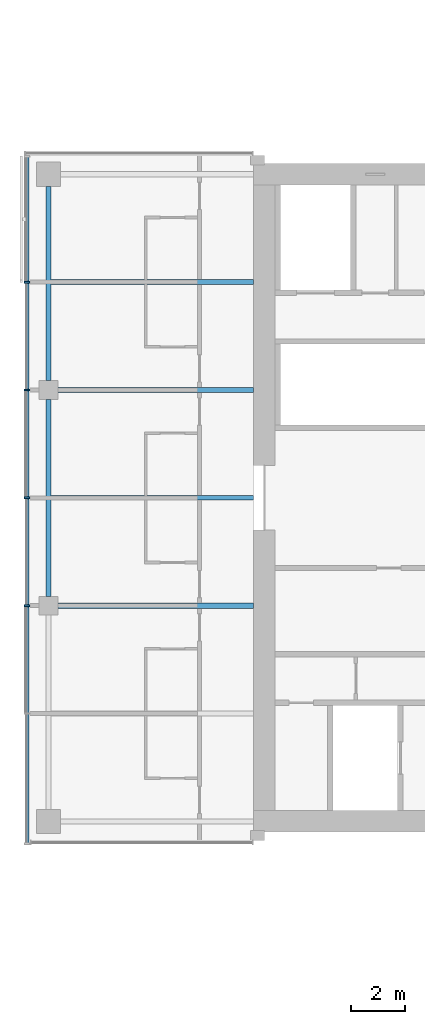
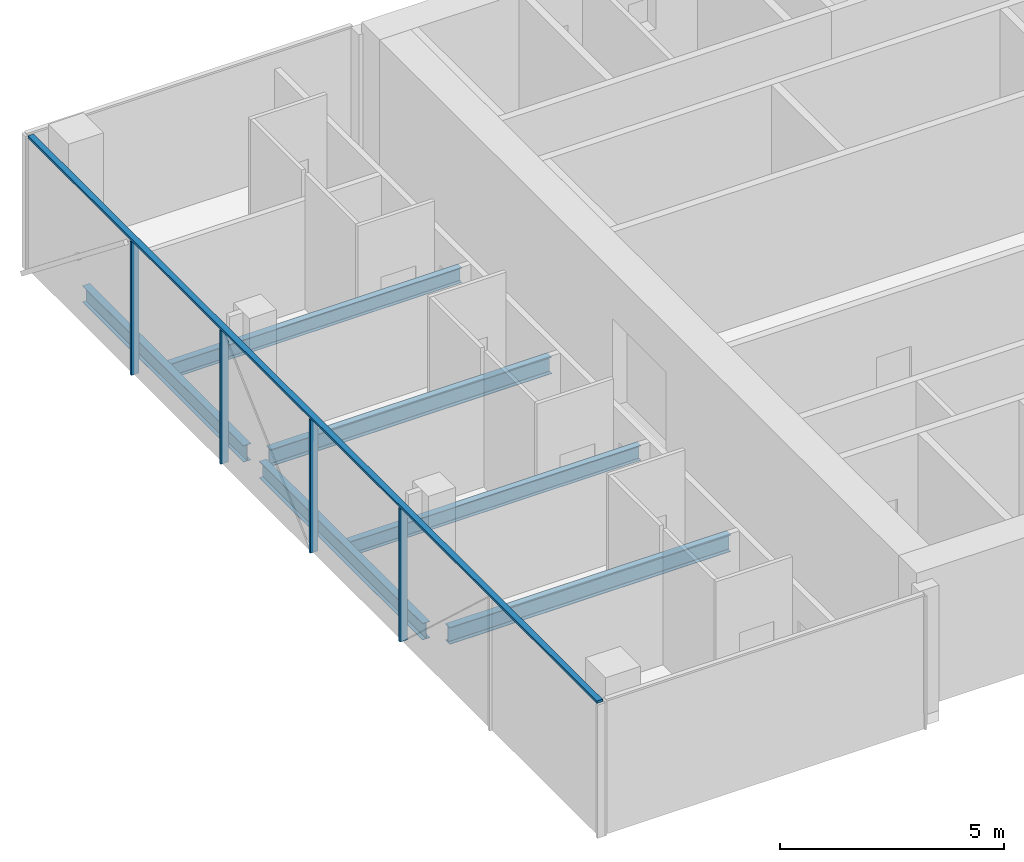
# One storey, part 6 of 29: 6 beams, 5 members, 1 element without a shape of its own.
"""IFC4 building model written with IfcOpenShell, lengths in metres."""

import ifcopenshell
import ifcopenshell.guid

model = None  # the IFC model being written
_history = None  # IfcOwnerHistory: only IFC2X3 demands one
_inside = {}  # id of a spatial element -> (the spatial element, [elements in it])
_under = {}  # id of a project, library or spatial element -> (it, [spatial elements below it])
_declared = {}  # id of a project -> (the project, [libraries it declares])
_typed = {}  # id of a type object -> (the type object, [elements of that type])
_made_of = {}  # id of a material, layer set ... -> (it, [elements and type objects made of it])


def new_model(schema):
    """Start an empty IFC model of exactly this schema.

    Asked for "IFC4X3", IfcOpenShell would pick the latest addendum, in which some entities
    have other attributes; the version numbers below select the first issue.
    IFC2X3 requires an IfcOwnerHistory on every rooted entity: one is made here for all.
    """
    global model, _history
    if schema == "IFC4X3":
        model = ifcopenshell.file(schema_version=(4, 3, 0, 0))
    else:
        model = ifcopenshell.file(schema=schema)
    _inside.clear()
    _under.clear()
    _declared.clear()
    _typed.clear()
    _made_of.clear()
    _history = None
    if model.schema == "IFC2X3":
        org = make("IfcOrganization", Name="unknown")
        user = make(
            "IfcPersonAndOrganization",
            ThePerson=make("IfcPerson", FamilyName="unknown"),
            TheOrganization=org,
        )
        app = make(
            "IfcApplication",
            ApplicationDeveloper=org,
            Version="unknown",
            ApplicationFullName="unknown",
            ApplicationIdentifier="unknown",
        )
        _history = make(
            "IfcOwnerHistory",
            OwningUser=user,
            OwningApplication=app,
            ChangeAction="ADDED",
            CreationDate=0,
        )
    return model


def make(cls, **values):
    """One entity of the class cls with the attributes given. An attribute that is None is left unset."""
    return model.create_entity(
        cls, **{name: value for name, value in values.items() if value is not None}
    )


def rooted(cls, **values):
    """An entity with a GlobalId (a new one), such as an element, a storey or a relation."""
    return make(cls, GlobalId=ifcopenshell.guid.new(), OwnerHistory=_history, **values)


def si_unit(unit_type, name, prefix=None):
    """IfcSIUnit, for example si_unit("LENGTHUNIT", "METRE", prefix="MILLI")."""
    return make("IfcSIUnit", UnitType=unit_type, Prefix=prefix, Name=name)


def assignment(units):
    """IfcUnitAssignment: the units of a project."""
    return None if units is None else make("IfcUnitAssignment", Units=units)


def point(xyz):
    """IfcCartesianPoint."""
    return None if xyz is None else make("IfcCartesianPoint", Coordinates=xyz)


def direction(xyz):
    """IfcDirection."""
    return None if xyz is None else make("IfcDirection", DirectionRatios=xyz)


def frame(location, z_axis=None, x_axis=None):
    """IfcAxis2Placement3D, a coordinate frame: its origin and axes. An axis left out is left unset."""
    return make(
        "IfcAxis2Placement3D",
        Location=point(location),
        Axis=direction(z_axis),
        RefDirection=direction(x_axis),
    )


def frame_2d(location, x_axis=None):
    """IfcAxis2Placement2D, a coordinate frame in the plane: its origin and x axis."""
    return make(
        "IfcAxis2Placement2D", Location=point(location), RefDirection=direction(x_axis)
    )


def origin():
    """The frame at (0, 0, 0) with its axes left unset."""
    return frame((0.0, 0.0, 0.0))


def origin_2d():
    """The frame at (0, 0) in the plane with its x axis left unset."""
    return frame_2d((0.0, 0.0))


def place(relative_to, where):
    """IfcLocalPlacement: puts the frame where relative to a parent placement (None: the world)."""
    return make(
        "IfcLocalPlacement", PlacementRelTo=relative_to, RelativePlacement=where
    )


def context(
    kind, dimensions, precision=None, world=None, true_north=None, identifier=None
):
    """IfcGeometricRepresentationContext, for example the 3D "Model" context."""
    return make(
        "IfcGeometricRepresentationContext",
        ContextIdentifier=identifier,
        ContextType=kind,
        CoordinateSpaceDimension=dimensions,
        Precision=precision,
        WorldCoordinateSystem=world,
        TrueNorth=true_north,
    )


def subcontext(parent, identifier, kind, view, scale=None):
    """IfcGeometricRepresentationSubContext, for example "Body" below "Model"."""
    return make(
        "IfcGeometricRepresentationSubContext",
        ContextIdentifier=identifier,
        ContextType=kind,
        ParentContext=parent,
        TargetScale=scale,
        TargetView=view,
    )


def project(units=None, contexts=None):
    """IfcProject with its units and contexts."""
    return rooted(
        "IfcProject",
        Name="project",
        RepresentationContexts=contexts,
        UnitsInContext=assignment(units),
    )


def spatial(cls, under=None, at=None, **own):
    """A site, building, storey or space (cls), placed at a placement, below another one or the project."""
    s = rooted(cls, ObjectPlacement=at, **own)
    if under is not None:
        _under.setdefault(under.id(), (under, []))[1].append(s)
    return s


def profile(cls, at=None, kind="AREA", **sizes):
    """A parametric profile (cls). Its sizes go by their IFC names, for example OverallWidth=200.0."""
    return make(cls, ProfileType=kind, Position=at, **sizes)


def rectangle(**sizes):
    """IfcRectangleProfileDef."""
    return profile("IfcRectangleProfileDef", **sizes)


def i_section(**sizes):
    """IfcIShapeProfileDef."""
    return profile("IfcIShapeProfileDef", **sizes)


def extrude(swept, where, along, depth):
    """IfcExtrudedAreaSolid: the profile swept, set in the frame where, extruded along a direction by depth."""
    return make(
        "IfcExtrudedAreaSolid",
        SweptArea=swept,
        Position=where,
        ExtrudedDirection=direction(along),
        Depth=depth,
    )


def shape(context_of_items, identifier, shape_type, items):
    """IfcShapeRepresentation: the items that make up one representation, for example the "Body"."""
    return make(
        "IfcShapeRepresentation",
        ContextOfItems=context_of_items,
        RepresentationIdentifier=identifier,
        RepresentationType=shape_type,
        Items=items,
    )


def material(Name=None, Category=None):
    """IfcMaterial."""
    return make("IfcMaterial", Name=Name, Category=Category)


def material_profile(
    of_material, cross_section, Name=None, Category=None, Priority=None
):
    """IfcMaterialProfile: a cross section and its material."""
    return make(
        "IfcMaterialProfile",
        Name=Name,
        Material=of_material,
        Profile=cross_section,
        Priority=Priority,
        Category=Category,
    )


def profile_set(profiles, Name=None, composite=None):
    """IfcMaterialProfileSet."""
    return make(
        "IfcMaterialProfileSet",
        Name=Name,
        MaterialProfiles=profiles,
        CompositeProfile=composite,
    )


def made_of(thing, what):
    """Note that an element or type object is made of a material, layer set ...; save() writes the relation."""
    if what is not None:
        _made_of.setdefault(what.id(), (what, []))[1].append(thing)
    return thing


def type_object(cls, material=None, **own):
    """A type object (cls), such as IfcWallType, which elements share."""
    return made_of(rooted(cls, **own), material)


def element(
    cls,
    number,
    at=None,
    inside=None,
    cuts=None,
    type_object=None,
    material=None,
    context=None,
    identifier="Body",
    shape_type=None,
    held_by="IfcProductDefinitionShape",
    body=None,
    shapes=None,
    **own,
):
    """One element of the class cls, such as IfcWall. Its Tag is "e" and its number.

    at: its placement. inside: the storey or other place that contains it. cuts: it is an
    opening in that element (IfcRelVoidsElement). A single representation is given by context,
    identifier, shape_type and body (its items); several are given by shapes. held_by: the class
    of the entity that holds the representations. save() writes the other relations.
    """
    e = rooted(cls, Tag="e%d" % number, ObjectPlacement=at, **own)
    if body is not None:
        shapes = [shape(context, identifier, shape_type, body)]
    if shapes is not None:
        e.Representation = make(held_by, Representations=shapes)
    if inside is not None:
        _inside.setdefault(inside.id(), (inside, []))[1].append(e)
    if cuts is not None:
        rooted(
            "IfcRelVoidsElement", RelatingBuildingElement=cuts, RelatedOpeningElement=e
        )
    if type_object is not None:
        _typed.setdefault(type_object.id(), (type_object, []))[1].append(e)
    return made_of(e, material)


def aggregate(whole, parts):
    """IfcRelAggregates: a whole, such as a stair, and the parts it consists of."""
    return rooted("IfcRelAggregates", RelatingObject=whole, RelatedObjects=parts)


def save(model, path):
    """Write the relations noted so far, then the file.

    IfcRelAggregates (storeys below a building ...), IfcRelContainedInSpatialStructure (elements
    in a storey), IfcRelDefinesByType, IfcRelAssociatesMaterial and IfcRelDeclares: one each for
    every whole, place, type object, material and project.
    """
    for whole, parts in _under.values():
        aggregate(whole, parts)
    for where, things in _inside.values():
        rooted(
            "IfcRelContainedInSpatialStructure",
            RelatedElements=things,
            RelatingStructure=where,
        )
    for kind, things in _typed.values():
        rooted("IfcRelDefinesByType", RelatedObjects=things, RelatingType=kind)
    for what, things in _made_of.values():
        rooted("IfcRelAssociatesMaterial", RelatedObjects=things, RelatingMaterial=what)
    for by, libraries in _declared.values():
        rooted("IfcRelDeclares", RelatingContext=by, RelatedDefinitions=libraries)
    model.write(path)


model = new_model("IFC4")

# Units and contexts
model_context = context("Model", 3, precision=1e-05, world=origin(), true_north=direction((0.0, 1.0)))
body_context = subcontext(model_context, "Body", "Model", "MODEL_VIEW")
ifc_project = project(units=[si_unit("LENGTHUNIT", "METRE"), si_unit("AREAUNIT", "SQUARE_METRE"), si_unit("VOLUMEUNIT", "CUBIC_METRE"), si_unit("PLANEANGLEUNIT", "RADIAN"), si_unit("MASSUNIT", "GRAM", prefix="KILO")], contexts=[model_context])

# Site, building, storey
site_placement = place(None, origin())
site = spatial("IfcSite", under=ifc_project, at=site_placement, CompositionType="ELEMENT")
building_placement = place(site_placement, origin())
building = spatial("IfcBuilding", under=site, at=building_placement, Name="Crosswind Convention Tower", CompositionType="ELEMENT")
storey_placement = place(building_placement, frame((0.0, 0.0, 57.199951171875)))
storey = spatial("IfcBuildingStorey", under=building, at=storey_placement, Name="L08", CompositionType="ELEMENT", Elevation=57.199951171875)

# Beams
ifc_material_1 = material(Name="Steel S355", Category="steel")
ifc_material_profile_1 = material_profile(ifc_material_1, i_section(OverallWidth=0.1904296875, OverallDepth=0.457275390625, WebThickness=0.009033203125, FlangeThickness=0.014404296875, FilletRadius=0.01025390625, at=origin_2d()), Name="UB 457x191x75")
ifc_profile_set_1 = profile_set([ifc_material_profile_1], Name="Steel S355")
beam_type_1 = type_object("IfcBeamType", Name="Edge beam UB 457x191x75", PredefinedType="SPANDREL", material=ifc_profile_set_1)
beam_1_placement = place(storey_placement, frame((89.0, 96.35009765625, -0.508544921875), z_axis=(0.0, 1.0, 0.0), x_axis=(-1.0, 0.0, 0.0)))
element("IfcBeam", 1, at=beam_1_placement, inside=storey, type_object=beam_type_1, Name="B17 L08 edge beam 2", PredefinedType="SPANDREL", context=body_context, shape_type="SweptSolid", body=[
    extrude(i_section(OverallWidth=0.1904296875, OverallDepth=0.457275390625, WebThickness=0.009033203125, FlangeThickness=0.014404296875, FilletRadius=0.01025390625, at=origin_2d()), origin(), (0.0, 0.0, 1.0), 7.2998046875),
])
beam_2_placement = place(storey_placement, frame((89.0, 104.35009765625, -0.508544921875), z_axis=(0.0, 1.0, 0.0), x_axis=(-1.0, 0.0, 0.0)))
element("IfcBeam", 2, at=beam_2_placement, inside=storey, type_object=beam_type_1, Name="B17 L08 edge beam 3", PredefinedType="SPANDREL", context=body_context, shape_type="SweptSolid", body=[
    extrude(i_section(OverallWidth=0.1904296875, OverallDepth=0.457275390625, WebThickness=0.009033203125, FlangeThickness=0.014404296875, FilletRadius=0.01025390625, at=origin_2d()), origin(), (0.0, 0.0, 1.0), 7.199951171875),
])
ifc_material_profile_2 = material_profile(ifc_material_1, i_section(OverallWidth=0.19189453125, OverallDepth=0.463623046875, WebThickness=0.010498046875, FlangeThickness=0.017578125, FilletRadius=0.01025390625, at=origin_2d()), Name="UB 457x191x90")
ifc_profile_set_2 = profile_set([ifc_material_profile_2], Name="Steel S355")
beam_type_2 = type_object("IfcBeamType", Name="Girder at core wall UB 457x191x90", PredefinedType="BEAM", material=ifc_profile_set_2)
for number, where, z_axis, x_axis, name in (
    (3, (89.35009765625, 96.0, -0.51171875), (1.0, 0.0, 0.0), (0.0, 1.0, 0.0), "B24 L08 girder at core wall 1"),
    (4, (89.35009765625, 104.0, -0.51171875), (1.0, 0.0, 0.0), (0.0, 1.0, 0.0), "B24 L08 girder at core wall 2"),
):
    element("IfcBeam", number, at=place(storey_placement, frame(where, z_axis=z_axis, x_axis=x_axis)), inside=storey, type_object=beam_type_2, Name=name, PredefinedType="BEAM", context=body_context, shape_type="SweptSolid", body=[
        extrude(i_section(OverallWidth=0.19189453125, OverallDepth=0.463623046875, WebThickness=0.010498046875, FlangeThickness=0.017578125, FilletRadius=0.01025390625, at=origin_2d()), origin(), (0.0, 0.0, 1.0), 7.25),
    ])

# Curtain wall, members
ifc_material_2 = material(Name="Aluminium unitised curtain wall", Category="aluminium")
curtain_wall_type = type_object("IfcCurtainWallType", Name="HOTEL UNITISED WALL 200", PredefinedType="USERDEFINED", material=ifc_material_2)
curtain_wall_placement = place(storey_placement, origin())
curtain_wall = element("IfcCurtainWall", 5, at=curtain_wall_placement, inside=storey, type_object=curtain_wall_type, Name="CW2 L08 W-TIP 1", ObjectType="UNITISED", PredefinedType="USERDEFINED")
ifc_material_3 = material(Name="Aluminium mullion", Category="aluminium")
ifc_material_profile_3 = material_profile(ifc_material_3, rectangle(XDim=0.199951171875, YDim=0.06494140625, at=origin_2d()), Name="AL 200X65")
ifc_profile_set_3 = profile_set([ifc_material_profile_3], Name="Aluminium mullion")
member_type_1 = type_object("IfcMemberType", Name="MULLION 65X200", PredefinedType="MULLION", material=ifc_profile_set_3)
member_1_placement = place(storey_placement, frame((88.199951171875, 108.0, -0.280029296875), z_axis=(0.0, 0.0, 1.0), x_axis=(-1.0, 0.0, 0.0)))
member_1 = element("IfcMember", 6, at=member_1_placement, type_object=member_type_1, Name="CW2 mullion 2", PredefinedType="MULLION", context=body_context, shape_type="SweptSolid", body=[
    extrude(rectangle(XDim=0.199951171875, YDim=0.06494140625, at=origin_2d()), origin(), (0.0, 0.0, 1.0), 3.635009765625),
])
member_2_placement = place(storey_placement, frame((88.199951171875, 104.0, -0.280029296875), z_axis=(0.0, 0.0, 1.0), x_axis=(-1.0, 0.0, 0.0)))
member_2 = element("IfcMember", 7, at=member_2_placement, type_object=member_type_1, Name="CW2 mullion 3", PredefinedType="MULLION", context=body_context, shape_type="SweptSolid", body=[
    extrude(rectangle(XDim=0.199951171875, YDim=0.06494140625, at=origin_2d()), origin(), (0.0, 0.0, 1.0), 3.635009765625),
])
member_3_placement = place(storey_placement, frame((88.199951171875, 100.0, -0.280029296875), z_axis=(0.0, 0.0, 1.0), x_axis=(-1.0, 0.0, 0.0)))
member_3 = element("IfcMember", 8, at=member_3_placement, type_object=member_type_1, Name="CW2 mullion 4", PredefinedType="MULLION", context=body_context, shape_type="SweptSolid", body=[
    extrude(rectangle(XDim=0.199951171875, YDim=0.06494140625, at=origin_2d()), origin(), (0.0, 0.0, 1.0), 3.635009765625),
])
member_4_placement = place(storey_placement, frame((88.199951171875, 96.0, -0.280029296875), z_axis=(0.0, 0.0, 1.0), x_axis=(-1.0, 0.0, 0.0)))
member_4 = element("IfcMember", 9, at=member_4_placement, type_object=member_type_1, Name="CW2 mullion 5", PredefinedType="MULLION", context=body_context, shape_type="SweptSolid", body=[
    extrude(rectangle(XDim=0.199951171875, YDim=0.06494140625, at=origin_2d()), origin(), (0.0, 0.0, 1.0), 3.635009765625),
])

# Beams
ifc_material_profile_4 = material_profile(ifc_material_1, i_section(OverallWidth=0.177734375, OverallDepth=0.406494140625, WebThickness=0.0078125, FlangeThickness=0.0126953125, FilletRadius=0.01025390625, at=origin_2d()), Name="UB 406x178x60")
ifc_profile_set_4 = profile_set([ifc_material_profile_4], Name="Steel S355")
beam_type_3 = type_object("IfcBeamType", Name="Secondary beam UB 406x178x60", PredefinedType="JOIST", material=ifc_profile_set_4)
for number, where, z_axis, x_axis, name in (
    (10, (89.09521484375, 100.0, -0.483154296875), (1.0, 0.0, 0.0), (0.0, 1.0, 0.0), "B10 L08 secondary beam 2"),
    (11, (89.09521484375, 108.0, -0.483154296875), (1.0, 0.0, 0.0), (0.0, 1.0, 0.0), "B10 L08 secondary beam 3"),
):
    element("IfcBeam", number, at=place(storey_placement, frame(where, z_axis=z_axis, x_axis=x_axis)), inside=storey, type_object=beam_type_3, Name=name, PredefinedType="JOIST", context=body_context, shape_type="SweptSolid", body=[
        extrude(i_section(OverallWidth=0.177734375, OverallDepth=0.406494140625, WebThickness=0.0078125, FlangeThickness=0.0126953125, FilletRadius=0.01025390625, at=origin_2d()), origin(), (0.0, 0.0, 1.0), 7.5048828125),
    ])

# Member
ifc_material_4 = material(Name="Aluminium transom", Category="aluminium")
ifc_material_profile_5 = material_profile(ifc_material_4, rectangle(XDim=0.14990234375, YDim=0.06494140625, at=origin_2d()), Name="AL 150X65")
ifc_profile_set_5 = profile_set([ifc_material_profile_5], Name="Aluminium transom")
member_type_2 = type_object("IfcMemberType", Name="TRANSOM 65X150", PredefinedType="USERDEFINED", material=ifc_profile_set_5)
member_5_placement = place(storey_placement, frame((88.199951171875, 112.635009765625, 3.387451171875), z_axis=(0.0, -1.0, 0.0), x_axis=(1.0, 0.0, 0.0)))
member_5 = element("IfcMember", 12, at=member_5_placement, type_object=member_type_2, Name="CW2 transom", ObjectType="TRANSOM", PredefinedType="USERDEFINED", context=body_context, shape_type="SweptSolid", body=[
    extrude(rectangle(XDim=0.14990234375, YDim=0.06494140625, at=origin_2d()), origin(), (0.0, 0.0, 1.0), 25.429931640625),
])

aggregate(curtain_wall, [member_1, member_2, member_3, member_4, member_5])

save(model, "model.ifc")
